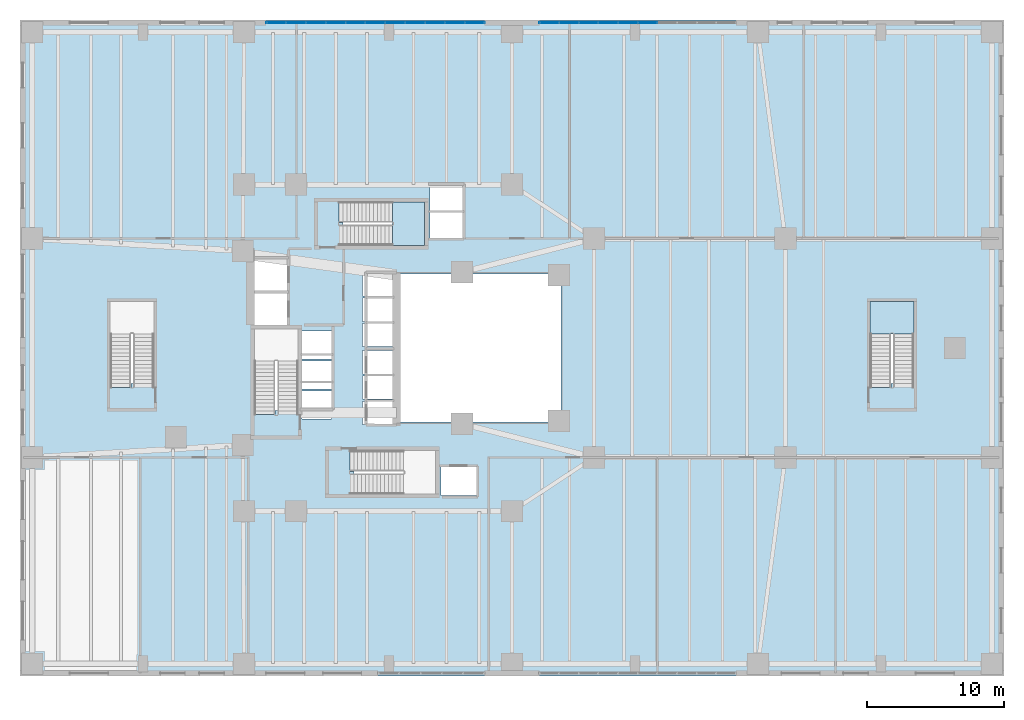
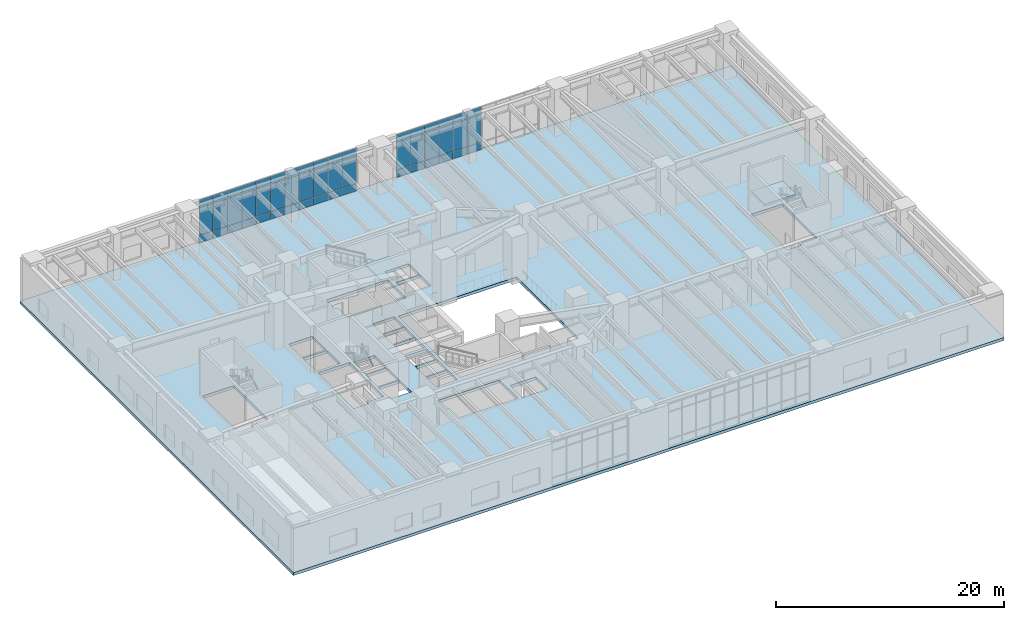
# One storey, part 20 of 26: 51 plates, 3 slabs, 4 elements without a shape of their own.
"""IFC4 building model written with IfcOpenShell, lengths in metres."""

from ifc_helpers import new_model, si_unit, direction, frame, origin, origin_2d, place, context, subcontext, project, spatial, polyline, rectangle, outline, extrude, material, layer, layer_set, type_object, element, aggregate, save


model = new_model("IFC4")

# Units and contexts
model_context = context("Model", 3, precision=1e-05, world=origin(), true_north=direction((0.0, 1.0)))
body_context = subcontext(model_context, "Body", "Model", "MODEL_VIEW")
ifc_project = project(units=[si_unit("LENGTHUNIT", "METRE"), si_unit("AREAUNIT", "SQUARE_METRE"), si_unit("VOLUMEUNIT", "CUBIC_METRE"), si_unit("PLANEANGLEUNIT", "RADIAN"), si_unit("MASSUNIT", "GRAM", prefix="KILO"), si_unit("THERMODYNAMICTEMPERATUREUNIT", "KELVIN"), si_unit("POWERUNIT", "WATT")], contexts=[model_context])

# Site, building, storey
site_placement = place(None, origin())
site = spatial("IfcSite", under=ifc_project, at=site_placement, CompositionType="ELEMENT")
building_placement = place(site_placement, origin())
building = spatial("IfcBuilding", under=site, at=building_placement, Name="Skarre Station Tower", CompositionType="ELEMENT")
storey_placement = place(building_placement, frame((0.0, 0.0, 6.0)))
storey = spatial("IfcBuildingStorey", under=building, at=storey_placement, Name="L02", CompositionType="ELEMENT", Elevation=6.0)

# Curtain wall, plates
ifc_material_1 = material(Name="Thermally Broken Bronze-Anodized Aluminium & Triple Low-E Glass", Category="aluminium")
ifc_layer_1 = layer(ifc_material_1, 0.199951171875, Name="Thermally Broken Bronze-Anodized Aluminium & Triple Low-E Glass")
ifc_layer_set_1 = layer_set([ifc_layer_1], Name="Thermally Broken Bronze-Anodized Aluminium & Triple Low-E Glass")
curtain_wall_type = type_object("IfcCurtainWallType", Name="Podium Transit Arcade Stick Curtain Wall", PredefinedType="NOTDEFINED", material=ifc_layer_set_1)
curtain_wall_1_placement = place(storey_placement, origin())
curtain_wall_1 = element("IfcCurtainWall", 1, at=curtain_wall_1_placement, inside=storey, type_object=curtain_wall_type, Name="L02 North Arcade West Curtain Wall", PredefinedType="NOTDEFINED")
ifc_material_2 = material(Name="Insulated Bronze Anodized Aluminium Spandrel", Category="aluminium")
ifc_layer_2 = layer(ifc_material_2, 0.052001953125, Name="Insulated Bronze Anodized Aluminium Spandrel")
ifc_layer_set_2 = layer_set([ifc_layer_2], Name="Insulated Bronze Anodized Aluminium Spandrel")
plate_type_1 = type_object("IfcPlateType", Name="Bronze Insulated Spandrel Sheet Panel 52", PredefinedType="SHEET", material=ifc_layer_set_2)
plate_1_placement = place(storey_placement, frame((18.72705078125, 47.800048828125, 0.05224609375), z_axis=(0.0, 0.0, 1.0), x_axis=(1.0, 0.0, 0.0)))
plate_1 = element("IfcPlate", 2, at=plate_1_placement, type_object=plate_type_1, Name="L02 North Arcade West Curtain Wall Spandrel Panel 1-1", PredefinedType="SHEET", context=body_context, shape_type="SweptSolid", body=[
    extrude(rectangle(XDim=1.430908203125, YDim=0.052001953125, at=origin_2d()), origin(), (0.0, 0.0, 1.0), 0.785888671875),
])
plate_2_placement = place(storey_placement, frame((20.181884765625, 47.800048828125, 0.05224609375), z_axis=(0.0, 0.0, 1.0), x_axis=(1.0, 0.0, 0.0)))
plate_2 = element("IfcPlate", 3, at=plate_2_placement, type_object=plate_type_1, Name="L02 North Arcade West Curtain Wall Spandrel Panel 2-1", PredefinedType="SHEET", context=body_context, shape_type="SweptSolid", body=[
    extrude(rectangle(XDim=1.430908203125, YDim=0.052001953125, at=origin_2d()), origin(), (0.0, 0.0, 1.0), 0.785888671875),
])
plate_3_placement = place(storey_placement, frame((21.635986328125, 47.800048828125, 0.05224609375), z_axis=(0.0, 0.0, 1.0), x_axis=(1.0, 0.0, 0.0)))
plate_3 = element("IfcPlate", 4, at=plate_3_placement, type_object=plate_type_1, Name="L02 North Arcade West Curtain Wall Spandrel Panel 3-1", PredefinedType="SHEET", context=body_context, shape_type="SweptSolid", body=[
    extrude(rectangle(XDim=1.430908203125, YDim=0.052001953125, at=origin_2d()), origin(), (0.0, 0.0, 1.0), 0.785888671875),
])
plate_4_placement = place(storey_placement, frame((23.091064453125, 47.800048828125, 0.05224609375), z_axis=(0.0, 0.0, 1.0), x_axis=(1.0, 0.0, 0.0)))
plate_4 = element("IfcPlate", 5, at=plate_4_placement, type_object=plate_type_1, Name="L02 North Arcade West Curtain Wall Spandrel Panel 4-1", PredefinedType="SHEET", context=body_context, shape_type="SweptSolid", body=[
    extrude(rectangle(XDim=1.430908203125, YDim=0.052001953125, at=origin_2d()), origin(), (0.0, 0.0, 1.0), 0.785888671875),
])
plate_5_placement = place(storey_placement, frame((24.544921875, 47.800048828125, 0.05224609375), z_axis=(0.0, 0.0, 1.0), x_axis=(1.0, 0.0, 0.0)))
plate_5 = element("IfcPlate", 6, at=plate_5_placement, type_object=plate_type_1, Name="L02 North Arcade West Curtain Wall Spandrel Panel 5-1", PredefinedType="SHEET", context=body_context, shape_type="SweptSolid", body=[
    extrude(rectangle(XDim=1.430908203125, YDim=0.052001953125, at=origin_2d()), origin(), (0.0, 0.0, 1.0), 0.785888671875),
])
plate_6_placement = place(storey_placement, frame((26.0, 47.800048828125, 0.05224609375), z_axis=(0.0, 0.0, 1.0), x_axis=(1.0, 0.0, 0.0)))
plate_6 = element("IfcPlate", 7, at=plate_6_placement, type_object=plate_type_1, Name="L02 North Arcade West Curtain Wall Spandrel Panel 6-1", PredefinedType="SHEET", context=body_context, shape_type="SweptSolid", body=[
    extrude(rectangle(XDim=1.430908203125, YDim=0.052001953125, at=origin_2d()), origin(), (0.0, 0.0, 1.0), 0.785888671875),
])
plate_7_placement = place(storey_placement, frame((27.455078125, 47.800048828125, 0.05224609375), z_axis=(0.0, 0.0, 1.0), x_axis=(1.0, 0.0, 0.0)))
plate_7 = element("IfcPlate", 8, at=plate_7_placement, type_object=plate_type_1, Name="L02 North Arcade West Curtain Wall Spandrel Panel 7-1", PredefinedType="SHEET", context=body_context, shape_type="SweptSolid", body=[
    extrude(rectangle(XDim=1.430908203125, YDim=0.052001953125, at=origin_2d()), origin(), (0.0, 0.0, 1.0), 0.785888671875),
])
plate_8_placement = place(storey_placement, frame((28.908935546875, 47.800048828125, 0.05224609375), z_axis=(0.0, 0.0, 1.0), x_axis=(1.0, 0.0, 0.0)))
plate_8 = element("IfcPlate", 9, at=plate_8_placement, type_object=plate_type_1, Name="L02 North Arcade West Curtain Wall Spandrel Panel 8-1", PredefinedType="SHEET", context=body_context, shape_type="SweptSolid", body=[
    extrude(rectangle(XDim=1.430908203125, YDim=0.052001953125, at=origin_2d()), origin(), (0.0, 0.0, 1.0), 0.785888671875),
])
plate_9_placement = place(storey_placement, frame((30.364013671875, 47.800048828125, 0.05224609375), z_axis=(0.0, 0.0, 1.0), x_axis=(1.0, 0.0, 0.0)))
plate_9 = element("IfcPlate", 10, at=plate_9_placement, type_object=plate_type_1, Name="L02 North Arcade West Curtain Wall Spandrel Panel 9-1", PredefinedType="SHEET", context=body_context, shape_type="SweptSolid", body=[
    extrude(rectangle(XDim=1.430908203125, YDim=0.052001953125, at=origin_2d()), origin(), (0.0, 0.0, 1.0), 0.785888671875),
])
plate_10_placement = place(storey_placement, frame((31.818115234375, 47.800048828125, 0.05224609375), z_axis=(0.0, 0.0, 1.0), x_axis=(1.0, 0.0, 0.0)))
plate_10 = element("IfcPlate", 11, at=plate_10_placement, type_object=plate_type_1, Name="L02 North Arcade West Curtain Wall Spandrel Panel 10-1", PredefinedType="SHEET", context=body_context, shape_type="SweptSolid", body=[
    extrude(rectangle(XDim=1.430908203125, YDim=0.052001953125, at=origin_2d()), origin(), (0.0, 0.0, 1.0), 0.785888671875),
])
plate_11_placement = place(storey_placement, frame((33.27294921875, 47.800048828125, 0.05224609375), z_axis=(0.0, 0.0, 1.0), x_axis=(1.0, 0.0, 0.0)))
plate_11 = element("IfcPlate", 12, at=plate_11_placement, type_object=plate_type_1, Name="L02 North Arcade West Curtain Wall Spandrel Panel 11-1", PredefinedType="SHEET", context=body_context, shape_type="SweptSolid", body=[
    extrude(rectangle(XDim=1.430908203125, YDim=0.052001953125, at=origin_2d()), origin(), (0.0, 0.0, 1.0), 0.785888671875),
])

curtain_wall_2_placement = place(storey_placement, origin())
curtain_wall_2 = element("IfcCurtainWall", 13, at=curtain_wall_2_placement, inside=storey, type_object=curtain_wall_type, Name="L02 North Drop-Off Portal Curtain Wall", PredefinedType="NOTDEFINED")
plate_12_placement = place(storey_placement, frame((38.719970703125, 47.800048828125, 0.05224609375), z_axis=(0.0, 0.0, 1.0), x_axis=(1.0, 0.0, 0.0)))
plate_12 = element("IfcPlate", 14, at=plate_12_placement, type_object=plate_type_1, Name="L02 North Drop-Off Portal Curtain Wall Spandrel Panel 1-1", PredefinedType="SHEET", context=body_context, shape_type="SweptSolid", body=[
    extrude(rectangle(XDim=1.416015625, YDim=0.052001953125, at=origin_2d()), origin(), (0.0, 0.0, 1.0), 0.785888671875),
])
plate_13_placement = place(storey_placement, frame((40.159912109375, 47.800048828125, 0.05224609375), z_axis=(0.0, 0.0, 1.0), x_axis=(1.0, 0.0, 0.0)))
plate_13 = element("IfcPlate", 15, at=plate_13_placement, type_object=plate_type_1, Name="L02 North Drop-Off Portal Curtain Wall Spandrel Panel 2-1", PredefinedType="SHEET", context=body_context, shape_type="SweptSolid", body=[
    extrude(rectangle(XDim=1.416015625, YDim=0.052001953125, at=origin_2d()), origin(), (0.0, 0.0, 1.0), 0.785888671875),
])
plate_14_placement = place(storey_placement, frame((41.60009765625, 47.800048828125, 0.05224609375), z_axis=(0.0, 0.0, 1.0), x_axis=(1.0, 0.0, 0.0)))
plate_14 = element("IfcPlate", 16, at=plate_14_placement, type_object=plate_type_1, Name="L02 North Drop-Off Portal Curtain Wall Spandrel Panel 3-1", PredefinedType="SHEET", context=body_context, shape_type="SweptSolid", body=[
    extrude(rectangle(XDim=1.416015625, YDim=0.052001953125, at=origin_2d()), origin(), (0.0, 0.0, 1.0), 0.785888671875),
])
plate_15_placement = place(storey_placement, frame((43.0400390625, 47.800048828125, 0.05224609375), z_axis=(0.0, 0.0, 1.0), x_axis=(1.0, 0.0, 0.0)))
plate_15 = element("IfcPlate", 17, at=plate_15_placement, type_object=plate_type_1, Name="L02 North Drop-Off Portal Curtain Wall Spandrel Panel 4-1", PredefinedType="SHEET", context=body_context, shape_type="SweptSolid", body=[
    extrude(rectangle(XDim=1.416015625, YDim=0.052001953125, at=origin_2d()), origin(), (0.0, 0.0, 1.0), 0.785888671875),
])
plate_16_placement = place(storey_placement, frame((44.47998046875, 47.800048828125, 0.05224609375), z_axis=(0.0, 0.0, 1.0), x_axis=(1.0, 0.0, 0.0)))
plate_16 = element("IfcPlate", 18, at=plate_16_placement, type_object=plate_type_1, Name="L02 North Drop-Off Portal Curtain Wall Spandrel Panel 5-1", PredefinedType="SHEET", context=body_context, shape_type="SweptSolid", body=[
    extrude(rectangle(XDim=1.416015625, YDim=0.052001953125, at=origin_2d()), origin(), (0.0, 0.0, 1.0), 0.785888671875),
])
plate_17_placement = place(storey_placement, frame((45.919921875, 47.800048828125, 0.05224609375), z_axis=(0.0, 0.0, 1.0), x_axis=(1.0, 0.0, 0.0)))
plate_17 = element("IfcPlate", 19, at=plate_17_placement, type_object=plate_type_1, Name="L02 North Drop-Off Portal Curtain Wall Spandrel Panel 6-1", PredefinedType="SHEET", context=body_context, shape_type="SweptSolid", body=[
    extrude(rectangle(XDim=1.416015625, YDim=0.052001953125, at=origin_2d()), origin(), (0.0, 0.0, 1.0), 0.785888671875),
])

# Slab
ifc_material_3 = material(Name="Concrete C50/60", Category="concrete")
ifc_layer_3 = layer(ifc_material_3, 0.31005859375, Name="Concrete C50/60")
ifc_layer_set_3 = layer_set([ifc_layer_3], Name="Concrete C50/60")
slab_type_1 = type_object("IfcSlabType", Name="Podium & Plant Structural Slab 310", PredefinedType="FLOOR", material=ifc_layer_set_3)
slab_1_placement = place(storey_placement, frame((0.0, 0.0, -0.31005859375)))
element("IfcSlab", 20, at=slab_1_placement, inside=storey, type_object=slab_type_1, Name="L02 Station Podium Structural Floor Slab", PredefinedType="FLOOR", context=body_context, shape_type="SweptSolid", body=[
    extrude(outline(polyline([(0.0, 0.0), (72.0, 0.0), (72.0, 48.0), (0.0, 48.0), (0.0, 0.0)]), holes=[polyline([(18.669921875, 19.419921875), (18.669921875, 19.123046875), (17.14990234375, 19.123046875), (17.14990234375, 25.39990234375), (20.35009765625, 25.39990234375), (20.35009765625, 19.419921875), (18.669921875, 19.419921875)]), polyline([(24.449951171875, 14.97998046875), (24.153076171875, 14.97998046875), (24.153076171875, 16.5), (30.39990234375, 16.5), (30.39990234375, 13.300048828125), (24.449951171875, 13.300048828125), (24.449951171875, 14.97998046875)]), polyline([(23.64990234375, 33.179931640625), (23.35302734375, 33.179931640625), (23.35302734375, 34.699951171875), (29.60009765625, 34.699951171875), (29.60009765625, 31.5), (23.64990234375, 31.5), (23.64990234375, 33.179931640625)]), polyline([(8.1201171875, 21.419921875), (8.1201171875, 21.123046875), (6.60009765625, 21.123046875), (6.60009765625, 27.39990234375), (9.800048828125, 27.39990234375), (9.800048828125, 21.419921875), (8.1201171875, 21.419921875)]), polyline([(63.719970703125, 21.419921875), (63.719970703125, 21.123046875), (62.199951171875, 21.123046875), (62.199951171875, 27.39990234375), (65.39990234375, 27.39990234375), (65.39990234375, 21.419921875), (63.719970703125, 21.419921875)]), polyline([(17.14990234375, 28.0), (19.550048828125, 28.0), (19.550048828125, 25.699951171875), (17.14990234375, 25.699951171875), (17.14990234375, 28.0)]), polyline([(17.14990234375, 30.5), (19.550048828125, 30.5), (19.550048828125, 28.199951171875), (17.14990234375, 28.199951171875), (17.14990234375, 30.5)]), polyline([(30.800048828125, 15.300048828125), (33.39990234375, 15.300048828125), (33.39990234375, 13.199951171875), (30.800048828125, 13.199951171875), (30.800048828125, 15.300048828125)]), polyline([(25.050048828125, 20.10009765625), (27.25, 20.10009765625), (27.25, 18.39990234375), (25.050048828125, 18.39990234375), (25.050048828125, 20.10009765625)]), polyline([(25.050048828125, 21.949951171875), (27.25, 21.949951171875), (27.25, 20.25), (25.050048828125, 20.25), (25.050048828125, 21.949951171875)]), polyline([(25.050048828125, 23.800048828125), (27.25, 23.800048828125), (27.25, 22.10009765625), (25.050048828125, 22.10009765625), (25.050048828125, 23.800048828125)]), polyline([(25.050048828125, 25.800048828125), (27.25, 25.800048828125), (27.25, 24.10009765625), (25.050048828125, 24.10009765625), (25.050048828125, 25.800048828125)]), polyline([(25.050048828125, 27.64990234375), (27.25, 27.64990234375), (27.25, 25.949951171875), (25.050048828125, 25.949951171875), (25.050048828125, 27.64990234375)]), polyline([(25.050048828125, 29.5), (27.25, 29.5), (27.25, 27.800048828125), (25.050048828125, 27.800048828125), (25.050048828125, 29.5)]), polyline([(20.64990234375, 20.85009765625), (22.800048828125, 20.85009765625), (22.800048828125, 18.800048828125), (20.64990234375, 18.800048828125), (20.64990234375, 20.85009765625)]), polyline([(20.64990234375, 23.050048828125), (22.800048828125, 23.050048828125), (22.800048828125, 21.0), (20.64990234375, 21.0), (20.64990234375, 23.050048828125)]), polyline([(20.64990234375, 25.25), (22.800048828125, 25.25), (22.800048828125, 23.199951171875), (20.64990234375, 23.199951171875), (20.64990234375, 25.25)]), polyline([(30.0, 33.89990234375), (32.39990234375, 33.89990234375), (32.39990234375, 32.050048828125), (30.0, 32.050048828125), (30.0, 33.89990234375)]), polyline([(30.0, 35.89990234375), (32.39990234375, 35.89990234375), (32.39990234375, 34.050048828125), (30.0, 34.050048828125), (30.0, 35.89990234375)]), polyline([(27.60009765625, 29.39990234375), (39.60009765625, 29.39990234375), (39.60009765625, 18.60009765625), (27.60009765625, 18.60009765625), (27.60009765625, 29.39990234375)])]), origin(), (0.0, 0.0, 1.0), 0.31005859375),
])

# Stair, slab
ifc_material_4 = material(Name="Concrete C40/50", Category="concrete")
stair_type_1 = type_object("IfcStairType", Name="Reinforced Concrete Exit Stair ST-3", PredefinedType="HALF_TURN_STAIR", material=ifc_material_4)
stair_1_placement = place(storey_placement, origin())
stair_1 = element("IfcStair", 21, at=stair_1_placement, inside=storey, type_object=stair_type_1, Name="L02 Core Exit Stair ST-3", PredefinedType="HALF_TURN_STAIR")
ifc_layer_4 = layer(ifc_material_4, 0.219970703125, Name="Concrete C40/50")
ifc_layer_set_4 = layer_set([ifc_layer_4], Name="Concrete C40/50")
slab_type_2 = type_object("IfcSlabType", Name="Reinforced Concrete Stair & Ramp Landing 220", PredefinedType="LANDING", material=ifc_layer_set_4)
slab_2_placement = place(storey_placement, frame((0.0, 0.0, 2.300048828125)))
slab_2 = element("IfcSlab", 22, at=slab_2_placement, type_object=slab_type_2, Name="ST-3 landing 1", PredefinedType="LANDING", context=body_context, shape_type="SweptSolid", body=[
    extrude(outline(polyline([(27.27001953125, 31.5), (29.60009765625, 31.5), (29.60009765625, 34.699951171875), (27.27001953125, 34.699951171875), (27.27001953125, 31.5)])), origin(), (0.0, 0.0, 1.0), 0.199951171875),
])
aggregate(stair_1, [slab_2])

stair_type_2 = type_object("IfcStairType", Name="Reinforced Concrete Exit Stair ST-5", PredefinedType="HALF_TURN_STAIR", material=ifc_material_4)
stair_2_placement = place(storey_placement, origin())
stair_2 = element("IfcStair", 23, at=stair_2_placement, inside=storey, type_object=stair_type_2, Name="L02 Podium Concourse Exit Stair ST-5", PredefinedType="HALF_TURN_STAIR")
slab_3_placement = place(storey_placement, frame((0.0, 0.0, 2.300048828125)))
slab_3 = element("IfcSlab", 24, at=slab_3_placement, type_object=slab_type_2, Name="ST-5 landing 1", PredefinedType="LANDING", context=body_context, shape_type="SweptSolid", body=[
    extrude(outline(polyline([(65.39990234375, 25.0400390625), (65.39990234375, 27.39990234375), (62.199951171875, 27.39990234375), (62.199951171875, 25.0400390625), (65.39990234375, 25.0400390625)])), origin(), (0.0, 0.0, 1.0), 0.199951171875),
])
aggregate(stair_2, [slab_3])

# Plate
ifc_material_5 = material(Name="Low-Iron Triple Insulating Glass Unit", Category="glass")
ifc_layer_5 = layer(ifc_material_5, 0.0439453125, Name="Low-Iron Triple Insulating Glass Unit")
ifc_layer_set_5 = layer_set([ifc_layer_5], Name="Low-Iron Triple Insulating Glass Unit")
plate_type_2 = type_object("IfcPlateType", Name="Triple-Glazed Vision Curtain Panel 44", PredefinedType="CURTAIN_PANEL", material=ifc_layer_set_5)
plate_18_placement = place(storey_placement, frame((18.72705078125, 47.800048828125, 0.862060546875), z_axis=(0.0, 0.0, 1.0), x_axis=(1.0, 0.0, 0.0)))
plate_18 = element("IfcPlate", 25, at=plate_18_placement, type_object=plate_type_2, Name="L02 North Arcade West Curtain Wall Vision Panel 1-2", PredefinedType="CURTAIN_PANEL", context=body_context, shape_type="SweptSolid", body=[
    extrude(rectangle(XDim=1.430908203125, YDim=0.0439453125, at=origin_2d()), origin(), (0.0, 0.0, 1.0), 2.916015625),
])

plate_19_placement = place(storey_placement, frame((18.72705078125, 47.800048828125, 3.802001953125), z_axis=(0.0, 0.0, 1.0), x_axis=(1.0, 0.0, 0.0)))
plate_19 = element("IfcPlate", 26, at=plate_19_placement, type_object=plate_type_2, Name="L02 North Arcade West Curtain Wall Vision Panel 1-3", PredefinedType="CURTAIN_PANEL", context=body_context, shape_type="SweptSolid", body=[
    extrude(rectangle(XDim=1.430908203125, YDim=0.0439453125, at=origin_2d()), origin(), (0.0, 0.0, 1.0), 0.8359375),
])

plate_20_placement = place(storey_placement, frame((20.181884765625, 47.800048828125, 0.862060546875), z_axis=(0.0, 0.0, 1.0), x_axis=(1.0, 0.0, 0.0)))
plate_20 = element("IfcPlate", 27, at=plate_20_placement, type_object=plate_type_2, Name="L02 North Arcade West Curtain Wall Vision Panel 2-2", PredefinedType="CURTAIN_PANEL", context=body_context, shape_type="SweptSolid", body=[
    extrude(rectangle(XDim=1.430908203125, YDim=0.0439453125, at=origin_2d()), origin(), (0.0, 0.0, 1.0), 2.916015625),
])

plate_21_placement = place(storey_placement, frame((20.181884765625, 47.800048828125, 3.802001953125), z_axis=(0.0, 0.0, 1.0), x_axis=(1.0, 0.0, 0.0)))
plate_21 = element("IfcPlate", 28, at=plate_21_placement, type_object=plate_type_2, Name="L02 North Arcade West Curtain Wall Vision Panel 2-3", PredefinedType="CURTAIN_PANEL", context=body_context, shape_type="SweptSolid", body=[
    extrude(rectangle(XDim=1.430908203125, YDim=0.0439453125, at=origin_2d()), origin(), (0.0, 0.0, 1.0), 0.8359375),
])

plate_22_placement = place(storey_placement, frame((21.635986328125, 47.800048828125, 0.862060546875), z_axis=(0.0, 0.0, 1.0), x_axis=(1.0, 0.0, 0.0)))
plate_22 = element("IfcPlate", 29, at=plate_22_placement, type_object=plate_type_2, Name="L02 North Arcade West Curtain Wall Vision Panel 3-2", PredefinedType="CURTAIN_PANEL", context=body_context, shape_type="SweptSolid", body=[
    extrude(rectangle(XDim=1.430908203125, YDim=0.0439453125, at=origin_2d()), origin(), (0.0, 0.0, 1.0), 2.916015625),
])

plate_23_placement = place(storey_placement, frame((21.635986328125, 47.800048828125, 3.802001953125), z_axis=(0.0, 0.0, 1.0), x_axis=(1.0, 0.0, 0.0)))
plate_23 = element("IfcPlate", 30, at=plate_23_placement, type_object=plate_type_2, Name="L02 North Arcade West Curtain Wall Vision Panel 3-3", PredefinedType="CURTAIN_PANEL", context=body_context, shape_type="SweptSolid", body=[
    extrude(rectangle(XDim=1.430908203125, YDim=0.0439453125, at=origin_2d()), origin(), (0.0, 0.0, 1.0), 0.8359375),
])

plate_24_placement = place(storey_placement, frame((23.091064453125, 47.800048828125, 0.862060546875), z_axis=(0.0, 0.0, 1.0), x_axis=(1.0, 0.0, 0.0)))
plate_24 = element("IfcPlate", 31, at=plate_24_placement, type_object=plate_type_2, Name="L02 North Arcade West Curtain Wall Vision Panel 4-2", PredefinedType="CURTAIN_PANEL", context=body_context, shape_type="SweptSolid", body=[
    extrude(rectangle(XDim=1.430908203125, YDim=0.0439453125, at=origin_2d()), origin(), (0.0, 0.0, 1.0), 2.916015625),
])

plate_25_placement = place(storey_placement, frame((23.091064453125, 47.800048828125, 3.802001953125), z_axis=(0.0, 0.0, 1.0), x_axis=(1.0, 0.0, 0.0)))
plate_25 = element("IfcPlate", 32, at=plate_25_placement, type_object=plate_type_2, Name="L02 North Arcade West Curtain Wall Vision Panel 4-3", PredefinedType="CURTAIN_PANEL", context=body_context, shape_type="SweptSolid", body=[
    extrude(rectangle(XDim=1.430908203125, YDim=0.0439453125, at=origin_2d()), origin(), (0.0, 0.0, 1.0), 0.8359375),
])

plate_26_placement = place(storey_placement, frame((24.544921875, 47.800048828125, 0.862060546875), z_axis=(0.0, 0.0, 1.0), x_axis=(1.0, 0.0, 0.0)))
plate_26 = element("IfcPlate", 33, at=plate_26_placement, type_object=plate_type_2, Name="L02 North Arcade West Curtain Wall Vision Panel 5-2", PredefinedType="CURTAIN_PANEL", context=body_context, shape_type="SweptSolid", body=[
    extrude(rectangle(XDim=1.430908203125, YDim=0.0439453125, at=origin_2d()), origin(), (0.0, 0.0, 1.0), 2.916015625),
])

plate_27_placement = place(storey_placement, frame((24.544921875, 47.800048828125, 3.802001953125), z_axis=(0.0, 0.0, 1.0), x_axis=(1.0, 0.0, 0.0)))
plate_27 = element("IfcPlate", 34, at=plate_27_placement, type_object=plate_type_2, Name="L02 North Arcade West Curtain Wall Vision Panel 5-3", PredefinedType="CURTAIN_PANEL", context=body_context, shape_type="SweptSolid", body=[
    extrude(rectangle(XDim=1.430908203125, YDim=0.0439453125, at=origin_2d()), origin(), (0.0, 0.0, 1.0), 0.8359375),
])

plate_28_placement = place(storey_placement, frame((26.0, 47.800048828125, 0.862060546875), z_axis=(0.0, 0.0, 1.0), x_axis=(1.0, 0.0, 0.0)))
plate_28 = element("IfcPlate", 35, at=plate_28_placement, type_object=plate_type_2, Name="L02 North Arcade West Curtain Wall Vision Panel 6-2", PredefinedType="CURTAIN_PANEL", context=body_context, shape_type="SweptSolid", body=[
    extrude(rectangle(XDim=1.430908203125, YDim=0.0439453125, at=origin_2d()), origin(), (0.0, 0.0, 1.0), 2.916015625),
])

plate_29_placement = place(storey_placement, frame((26.0, 47.800048828125, 3.802001953125), z_axis=(0.0, 0.0, 1.0), x_axis=(1.0, 0.0, 0.0)))
plate_29 = element("IfcPlate", 36, at=plate_29_placement, type_object=plate_type_2, Name="L02 North Arcade West Curtain Wall Vision Panel 6-3", PredefinedType="CURTAIN_PANEL", context=body_context, shape_type="SweptSolid", body=[
    extrude(rectangle(XDim=1.430908203125, YDim=0.0439453125, at=origin_2d()), origin(), (0.0, 0.0, 1.0), 0.8359375),
])

plate_30_placement = place(storey_placement, frame((27.455078125, 47.800048828125, 0.862060546875), z_axis=(0.0, 0.0, 1.0), x_axis=(1.0, 0.0, 0.0)))
plate_30 = element("IfcPlate", 37, at=plate_30_placement, type_object=plate_type_2, Name="L02 North Arcade West Curtain Wall Vision Panel 7-2", PredefinedType="CURTAIN_PANEL", context=body_context, shape_type="SweptSolid", body=[
    extrude(rectangle(XDim=1.430908203125, YDim=0.0439453125, at=origin_2d()), origin(), (0.0, 0.0, 1.0), 2.916015625),
])

plate_31_placement = place(storey_placement, frame((27.455078125, 47.800048828125, 3.802001953125), z_axis=(0.0, 0.0, 1.0), x_axis=(1.0, 0.0, 0.0)))
plate_31 = element("IfcPlate", 38, at=plate_31_placement, type_object=plate_type_2, Name="L02 North Arcade West Curtain Wall Vision Panel 7-3", PredefinedType="CURTAIN_PANEL", context=body_context, shape_type="SweptSolid", body=[
    extrude(rectangle(XDim=1.430908203125, YDim=0.0439453125, at=origin_2d()), origin(), (0.0, 0.0, 1.0), 0.8359375),
])

plate_32_placement = place(storey_placement, frame((28.908935546875, 47.800048828125, 0.862060546875), z_axis=(0.0, 0.0, 1.0), x_axis=(1.0, 0.0, 0.0)))
plate_32 = element("IfcPlate", 39, at=plate_32_placement, type_object=plate_type_2, Name="L02 North Arcade West Curtain Wall Vision Panel 8-2", PredefinedType="CURTAIN_PANEL", context=body_context, shape_type="SweptSolid", body=[
    extrude(rectangle(XDim=1.430908203125, YDim=0.0439453125, at=origin_2d()), origin(), (0.0, 0.0, 1.0), 2.916015625),
])

plate_33_placement = place(storey_placement, frame((28.908935546875, 47.800048828125, 3.802001953125), z_axis=(0.0, 0.0, 1.0), x_axis=(1.0, 0.0, 0.0)))
plate_33 = element("IfcPlate", 40, at=plate_33_placement, type_object=plate_type_2, Name="L02 North Arcade West Curtain Wall Vision Panel 8-3", PredefinedType="CURTAIN_PANEL", context=body_context, shape_type="SweptSolid", body=[
    extrude(rectangle(XDim=1.430908203125, YDim=0.0439453125, at=origin_2d()), origin(), (0.0, 0.0, 1.0), 0.8359375),
])

plate_34_placement = place(storey_placement, frame((30.364013671875, 47.800048828125, 0.862060546875), z_axis=(0.0, 0.0, 1.0), x_axis=(1.0, 0.0, 0.0)))
plate_34 = element("IfcPlate", 41, at=plate_34_placement, type_object=plate_type_2, Name="L02 North Arcade West Curtain Wall Vision Panel 9-2", PredefinedType="CURTAIN_PANEL", context=body_context, shape_type="SweptSolid", body=[
    extrude(rectangle(XDim=1.430908203125, YDim=0.0439453125, at=origin_2d()), origin(), (0.0, 0.0, 1.0), 2.916015625),
])

plate_35_placement = place(storey_placement, frame((30.364013671875, 47.800048828125, 3.802001953125), z_axis=(0.0, 0.0, 1.0), x_axis=(1.0, 0.0, 0.0)))
plate_35 = element("IfcPlate", 42, at=plate_35_placement, type_object=plate_type_2, Name="L02 North Arcade West Curtain Wall Vision Panel 9-3", PredefinedType="CURTAIN_PANEL", context=body_context, shape_type="SweptSolid", body=[
    extrude(rectangle(XDim=1.430908203125, YDim=0.0439453125, at=origin_2d()), origin(), (0.0, 0.0, 1.0), 0.8359375),
])

plate_36_placement = place(storey_placement, frame((31.818115234375, 47.800048828125, 0.862060546875), z_axis=(0.0, 0.0, 1.0), x_axis=(1.0, 0.0, 0.0)))
plate_36 = element("IfcPlate", 43, at=plate_36_placement, type_object=plate_type_2, Name="L02 North Arcade West Curtain Wall Vision Panel 10-2", PredefinedType="CURTAIN_PANEL", context=body_context, shape_type="SweptSolid", body=[
    extrude(rectangle(XDim=1.430908203125, YDim=0.0439453125, at=origin_2d()), origin(), (0.0, 0.0, 1.0), 2.916015625),
])

plate_37_placement = place(storey_placement, frame((31.818115234375, 47.800048828125, 3.802001953125), z_axis=(0.0, 0.0, 1.0), x_axis=(1.0, 0.0, 0.0)))
plate_37 = element("IfcPlate", 44, at=plate_37_placement, type_object=plate_type_2, Name="L02 North Arcade West Curtain Wall Vision Panel 10-3", PredefinedType="CURTAIN_PANEL", context=body_context, shape_type="SweptSolid", body=[
    extrude(rectangle(XDim=1.430908203125, YDim=0.0439453125, at=origin_2d()), origin(), (0.0, 0.0, 1.0), 0.8359375),
])

plate_38_placement = place(storey_placement, frame((33.27294921875, 47.800048828125, 0.862060546875), z_axis=(0.0, 0.0, 1.0), x_axis=(1.0, 0.0, 0.0)))
plate_38 = element("IfcPlate", 45, at=plate_38_placement, type_object=plate_type_2, Name="L02 North Arcade West Curtain Wall Vision Panel 11-2", PredefinedType="CURTAIN_PANEL", context=body_context, shape_type="SweptSolid", body=[
    extrude(rectangle(XDim=1.430908203125, YDim=0.0439453125, at=origin_2d()), origin(), (0.0, 0.0, 1.0), 2.916015625),
])

plate_39_placement = place(storey_placement, frame((33.27294921875, 47.800048828125, 3.802001953125), z_axis=(0.0, 0.0, 1.0), x_axis=(1.0, 0.0, 0.0)))
plate_39 = element("IfcPlate", 46, at=plate_39_placement, type_object=plate_type_2, Name="L02 North Arcade West Curtain Wall Vision Panel 11-3", PredefinedType="CURTAIN_PANEL", context=body_context, shape_type="SweptSolid", body=[
    extrude(rectangle(XDim=1.430908203125, YDim=0.0439453125, at=origin_2d()), origin(), (0.0, 0.0, 1.0), 0.8359375),
])

aggregate(curtain_wall_1, [plate_1, plate_18, plate_19, plate_2, plate_20, plate_21, plate_3, plate_22, plate_23, plate_4, plate_24, plate_25, plate_5, plate_26, plate_27, plate_6, plate_28, plate_29, plate_7, plate_30, plate_31, plate_8, plate_32, plate_33, plate_9, plate_34, plate_35, plate_10, plate_36, plate_37, plate_11, plate_38, plate_39])

plate_40_placement = place(storey_placement, frame((38.719970703125, 47.800048828125, 0.862060546875), z_axis=(0.0, 0.0, 1.0), x_axis=(1.0, 0.0, 0.0)))
plate_40 = element("IfcPlate", 47, at=plate_40_placement, type_object=plate_type_2, Name="L02 North Drop-Off Portal Curtain Wall Vision Panel 1-2", PredefinedType="CURTAIN_PANEL", context=body_context, shape_type="SweptSolid", body=[
    extrude(rectangle(XDim=1.416015625, YDim=0.0439453125, at=origin_2d()), origin(), (0.0, 0.0, 1.0), 2.916015625),
])

plate_41_placement = place(storey_placement, frame((38.719970703125, 47.800048828125, 3.802001953125), z_axis=(0.0, 0.0, 1.0), x_axis=(1.0, 0.0, 0.0)))
plate_41 = element("IfcPlate", 48, at=plate_41_placement, type_object=plate_type_2, Name="L02 North Drop-Off Portal Curtain Wall Vision Panel 1-3", PredefinedType="CURTAIN_PANEL", context=body_context, shape_type="SweptSolid", body=[
    extrude(rectangle(XDim=1.416015625, YDim=0.0439453125, at=origin_2d()), origin(), (0.0, 0.0, 1.0), 0.8359375),
])

plate_42_placement = place(storey_placement, frame((40.159912109375, 47.800048828125, 0.862060546875), z_axis=(0.0, 0.0, 1.0), x_axis=(1.0, 0.0, 0.0)))
plate_42 = element("IfcPlate", 49, at=plate_42_placement, type_object=plate_type_2, Name="L02 North Drop-Off Portal Curtain Wall Vision Panel 2-2", PredefinedType="CURTAIN_PANEL", context=body_context, shape_type="SweptSolid", body=[
    extrude(rectangle(XDim=1.416015625, YDim=0.0439453125, at=origin_2d()), origin(), (0.0, 0.0, 1.0), 2.916015625),
])

plate_43_placement = place(storey_placement, frame((40.159912109375, 47.800048828125, 3.802001953125), z_axis=(0.0, 0.0, 1.0), x_axis=(1.0, 0.0, 0.0)))
plate_43 = element("IfcPlate", 50, at=plate_43_placement, type_object=plate_type_2, Name="L02 North Drop-Off Portal Curtain Wall Vision Panel 2-3", PredefinedType="CURTAIN_PANEL", context=body_context, shape_type="SweptSolid", body=[
    extrude(rectangle(XDim=1.416015625, YDim=0.0439453125, at=origin_2d()), origin(), (0.0, 0.0, 1.0), 0.8359375),
])

plate_44_placement = place(storey_placement, frame((41.60009765625, 47.800048828125, 0.862060546875), z_axis=(0.0, 0.0, 1.0), x_axis=(1.0, 0.0, 0.0)))
plate_44 = element("IfcPlate", 51, at=plate_44_placement, type_object=plate_type_2, Name="L02 North Drop-Off Portal Curtain Wall Vision Panel 3-2", PredefinedType="CURTAIN_PANEL", context=body_context, shape_type="SweptSolid", body=[
    extrude(rectangle(XDim=1.416015625, YDim=0.0439453125, at=origin_2d()), origin(), (0.0, 0.0, 1.0), 2.916015625),
])

plate_45_placement = place(storey_placement, frame((41.60009765625, 47.800048828125, 3.802001953125), z_axis=(0.0, 0.0, 1.0), x_axis=(1.0, 0.0, 0.0)))
plate_45 = element("IfcPlate", 52, at=plate_45_placement, type_object=plate_type_2, Name="L02 North Drop-Off Portal Curtain Wall Vision Panel 3-3", PredefinedType="CURTAIN_PANEL", context=body_context, shape_type="SweptSolid", body=[
    extrude(rectangle(XDim=1.416015625, YDim=0.0439453125, at=origin_2d()), origin(), (0.0, 0.0, 1.0), 0.8359375),
])

plate_46_placement = place(storey_placement, frame((43.0400390625, 47.800048828125, 0.862060546875), z_axis=(0.0, 0.0, 1.0), x_axis=(1.0, 0.0, 0.0)))
plate_46 = element("IfcPlate", 53, at=plate_46_placement, type_object=plate_type_2, Name="L02 North Drop-Off Portal Curtain Wall Vision Panel 4-2", PredefinedType="CURTAIN_PANEL", context=body_context, shape_type="SweptSolid", body=[
    extrude(rectangle(XDim=1.416015625, YDim=0.0439453125, at=origin_2d()), origin(), (0.0, 0.0, 1.0), 2.916015625),
])

plate_47_placement = place(storey_placement, frame((43.0400390625, 47.800048828125, 3.802001953125), z_axis=(0.0, 0.0, 1.0), x_axis=(1.0, 0.0, 0.0)))
plate_47 = element("IfcPlate", 54, at=plate_47_placement, type_object=plate_type_2, Name="L02 North Drop-Off Portal Curtain Wall Vision Panel 4-3", PredefinedType="CURTAIN_PANEL", context=body_context, shape_type="SweptSolid", body=[
    extrude(rectangle(XDim=1.416015625, YDim=0.0439453125, at=origin_2d()), origin(), (0.0, 0.0, 1.0), 0.8359375),
])

plate_48_placement = place(storey_placement, frame((44.47998046875, 47.800048828125, 0.862060546875), z_axis=(0.0, 0.0, 1.0), x_axis=(1.0, 0.0, 0.0)))
plate_48 = element("IfcPlate", 55, at=plate_48_placement, type_object=plate_type_2, Name="L02 North Drop-Off Portal Curtain Wall Vision Panel 5-2", PredefinedType="CURTAIN_PANEL", context=body_context, shape_type="SweptSolid", body=[
    extrude(rectangle(XDim=1.416015625, YDim=0.0439453125, at=origin_2d()), origin(), (0.0, 0.0, 1.0), 2.916015625),
])

plate_49_placement = place(storey_placement, frame((44.47998046875, 47.800048828125, 3.802001953125), z_axis=(0.0, 0.0, 1.0), x_axis=(1.0, 0.0, 0.0)))
plate_49 = element("IfcPlate", 56, at=plate_49_placement, type_object=plate_type_2, Name="L02 North Drop-Off Portal Curtain Wall Vision Panel 5-3", PredefinedType="CURTAIN_PANEL", context=body_context, shape_type="SweptSolid", body=[
    extrude(rectangle(XDim=1.416015625, YDim=0.0439453125, at=origin_2d()), origin(), (0.0, 0.0, 1.0), 0.8359375),
])

plate_50_placement = place(storey_placement, frame((45.919921875, 47.800048828125, 0.862060546875), z_axis=(0.0, 0.0, 1.0), x_axis=(1.0, 0.0, 0.0)))
plate_50 = element("IfcPlate", 57, at=plate_50_placement, type_object=plate_type_2, Name="L02 North Drop-Off Portal Curtain Wall Vision Panel 6-2", PredefinedType="CURTAIN_PANEL", context=body_context, shape_type="SweptSolid", body=[
    extrude(rectangle(XDim=1.416015625, YDim=0.0439453125, at=origin_2d()), origin(), (0.0, 0.0, 1.0), 2.916015625),
])

plate_51_placement = place(storey_placement, frame((45.919921875, 47.800048828125, 3.802001953125), z_axis=(0.0, 0.0, 1.0), x_axis=(1.0, 0.0, 0.0)))
plate_51 = element("IfcPlate", 58, at=plate_51_placement, type_object=plate_type_2, Name="L02 North Drop-Off Portal Curtain Wall Vision Panel 6-3", PredefinedType="CURTAIN_PANEL", context=body_context, shape_type="SweptSolid", body=[
    extrude(rectangle(XDim=1.416015625, YDim=0.0439453125, at=origin_2d()), origin(), (0.0, 0.0, 1.0), 0.8359375),
])

aggregate(curtain_wall_2, [plate_12, plate_40, plate_41, plate_13, plate_42, plate_43, plate_14, plate_44, plate_45, plate_15, plate_46, plate_47, plate_16, plate_48, plate_49, plate_17, plate_50, plate_51])

save(model, "model.ifc")
